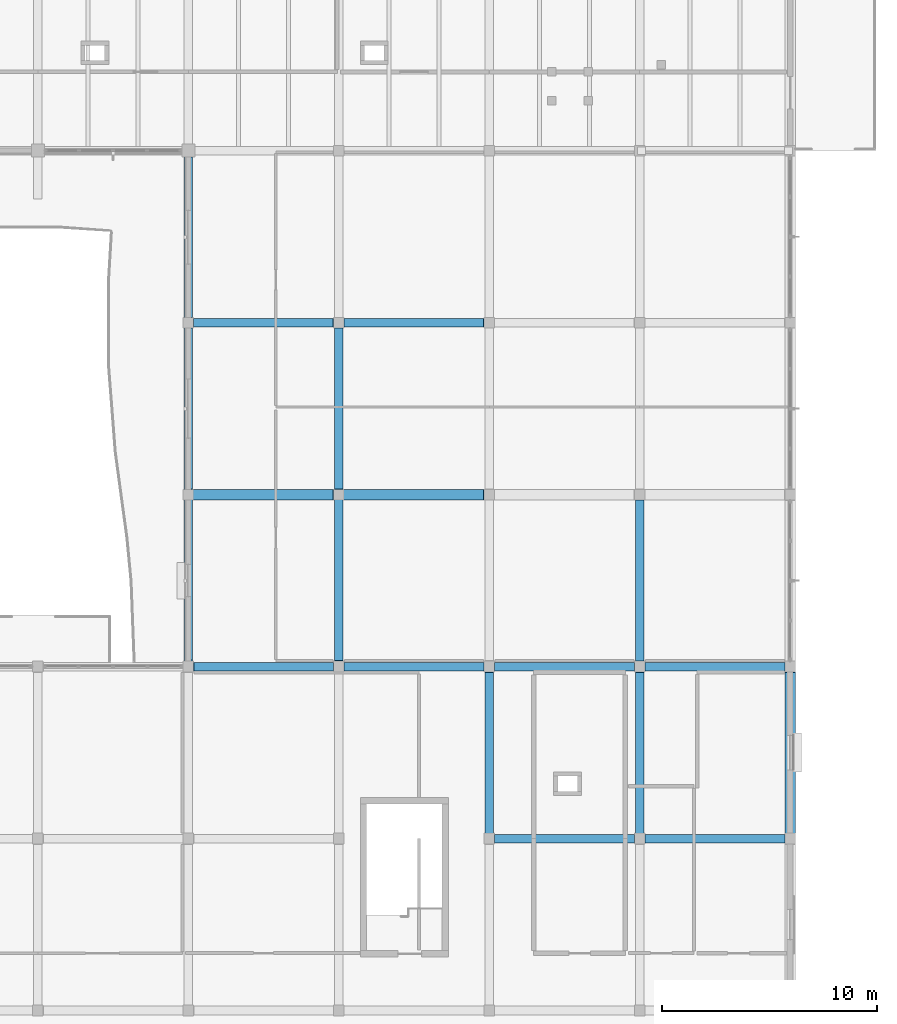
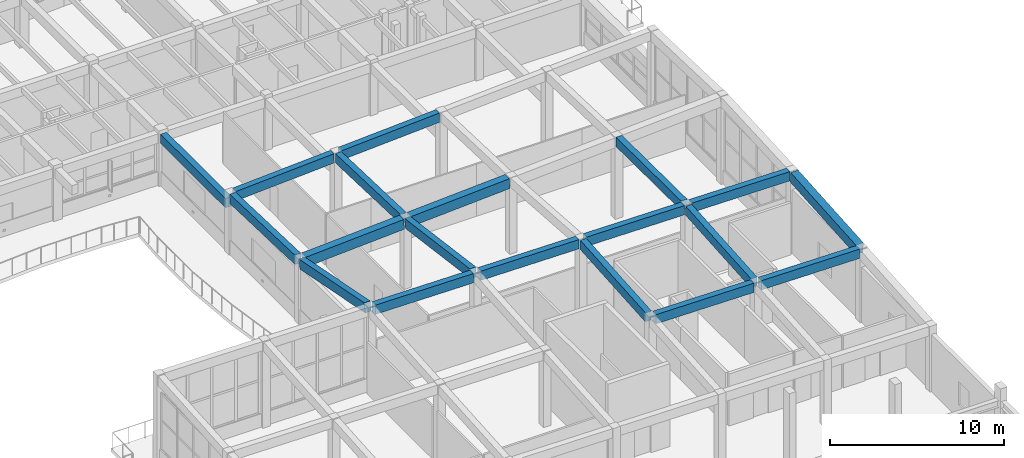
# One storey, part 35 of 89: 19 beams.
"""IFC4 building model written with IfcOpenShell, lengths in metres."""

from ifc_helpers import new_model, si_unit, direction, frame, origin, origin_2d, place, context, subcontext, project, spatial, rectangle, extrude, material, material_profile, profile_set, type_object, element, save


model = new_model("IFC4")

# Units and contexts
model_context = context("Model", 3, precision=1e-05, world=origin(), true_north=direction((0.0, 1.0)))
body_context = subcontext(model_context, "Body", "Model", "MODEL_VIEW")
ifc_project = project(units=[si_unit("LENGTHUNIT", "METRE"), si_unit("AREAUNIT", "SQUARE_METRE"), si_unit("VOLUMEUNIT", "CUBIC_METRE"), si_unit("PLANEANGLEUNIT", "RADIAN"), si_unit("MASSUNIT", "GRAM", prefix="KILO")], contexts=[model_context])

# Site, building, storey
site_placement = place(None, origin())
site = spatial("IfcSite", under=ifc_project, at=site_placement, CompositionType="ELEMENT")
building_placement = place(site_placement, origin())
building = spatial("IfcBuilding", under=site, at=building_placement, Name="Tonlespit Floodbar School", CompositionType="ELEMENT")
storey_placement = place(building_placement, frame((0.0, 0.0, 4.5)))
storey = spatial("IfcBuildingStorey", under=building, at=storey_placement, Name="L01", CompositionType="ELEMENT", Elevation=4.5)

# Beams
ifc_material = material(Name="Concrete C40/50", Category="concrete")
ifc_material_profile_1 = material_profile(ifc_material, rectangle(XDim=0.39990234375, YDim=0.64990234375, at=origin_2d()), Name="RC 400x650")
ifc_profile_set_1 = profile_set([ifc_material_profile_1], Name="Concrete C40/50")
beam_type_1 = type_object("IfcBeamType", Name="Beam_RC_400x650", PredefinedType="BEAM", material=ifc_profile_set_1)
for number, where, z_axis, x_axis, name in (
    (1, (162.25, 72.0, 4.949951171875), (0.999955563291, 0.0, -0.009427165204), (0.0, 1.0, 0.0), "L01 girder 0592"),
    (2, (169.25, 72.0, 4.884033203125), (0.999955563291, 0.0, -0.009427165204), (0.0, 1.0, 0.0), "L01 girder 0593"),
    (3, (148.25, 80.0, 5.6669921875), (0.999955563291, 0.0, -0.009427165204), (0.0, 1.0, 0.0), "L01 girder 0600"),
    (4, (155.25, 80.0, 5.60107421875), (0.999955563291, 0.0, -0.009427165204), (0.0, 1.0, 0.0), "L01 girder 0601"),
    (5, (162.25, 80.0, 5.53515625), (0.999955916639, 0.0, -0.009389610095), (0.0, 1.0, 0.0), "L01 girder 0602"),
    (6, (169.25, 80.0, 5.46923828125), (0.999955916639, 0.0, -0.009389610095), (0.0, 1.0, 0.0), "L01 girder 0603"),
):
    element("IfcBeam", number, at=place(storey_placement, frame(where, z_axis=z_axis, x_axis=x_axis)), inside=storey, type_object=beam_type_1, Name=name, PredefinedType="BEAM", context=body_context, shape_type="SweptSolid", body=[
        extrude(rectangle(XDim=0.39990234375, YDim=0.64990234375, at=origin_2d()), origin(), (0.0, 0.0, 1.0), 6.500244140625),
    ])
for number, where, z_axis, x_axis, name in (
    (7, (148.25, 96.0, 3.93701171875), (0.99832914353, 0.0, 0.05778339882), (0.0, 1.0, 0.0), "L01 girder 0625"),
    (8, (155.25, 96.0, 4.34228515625), (0.99832914353, 0.0, 0.05778339882), (0.0, 1.0, 0.0), "L01 girder 0626"),
):
    element("IfcBeam", number, at=place(storey_placement, frame(where, z_axis=z_axis, x_axis=x_axis)), inside=storey, type_object=beam_type_1, Name=name, PredefinedType="BEAM", context=body_context, shape_type="SweptSolid", body=[
        extrude(rectangle(XDim=0.39990234375, YDim=0.64990234375, at=origin_2d()), origin(), (0.0, 0.0, 1.0), 6.510986328125),
    ])
beam_1_placement = place(storey_placement, frame((148.0, 80.25, 5.6875), z_axis=(0.0, 0.981111370335, -0.193443736006), x_axis=(-1.0, 0.0, 0.0)))
element("IfcBeam", 9, at=beam_1_placement, inside=storey, type_object=beam_type_1, Name="L01 girder 0756", PredefinedType="BEAM", context=body_context, shape_type="SweptSolid", body=[
    extrude(rectangle(XDim=0.39990234375, YDim=0.64990234375, at=origin_2d()), origin(), (0.0, 0.0, 1.0), 7.644287109375),
])
beam_2_placement = place(storey_placement, frame((148.0, 88.25, 4.19140625), z_axis=(0.0, 0.999398480102, -0.03467964778), x_axis=(-1.0, 0.0, 0.0)))
element("IfcBeam", 10, at=beam_2_placement, inside=storey, type_object=beam_type_1, Name="L01 girder 0757", PredefinedType="BEAM", context=body_context, shape_type="SweptSolid", body=[
    extrude(rectangle(XDim=0.39990234375, YDim=0.64990234375, at=origin_2d()), origin(), (0.0, 0.0, 1.0), 7.50439453125),
])
beam_3_placement = place(storey_placement, frame((148.0, 96.25, 3.324951171875), z_axis=(0.0, 1.0, 0.0), x_axis=(-1.0, 0.0, 0.0)))
element("IfcBeam", 11, at=beam_3_placement, inside=storey, type_object=beam_type_1, Name="L01 girder 0758", PredefinedType="BEAM", context=body_context, shape_type="SweptSolid", body=[
    extrude(rectangle(XDim=0.39990234375, YDim=0.64990234375, at=origin_2d()), origin(), (0.0, 0.0, 1.0), 7.449951171875),
])
beam_4_placement = place(storey_placement, frame((155.0, 80.25, 5.62158203125), z_axis=(0.0, 0.991096392225, -0.133146315453), x_axis=(-1.0, 0.0, 0.0)))
element("IfcBeam", 12, at=beam_4_placement, inside=storey, type_object=beam_type_1, Name="L01 girder 0763", PredefinedType="BEAM", context=body_context, shape_type="SweptSolid", body=[
    extrude(rectangle(XDim=0.39990234375, YDim=0.64990234375, at=origin_2d()), origin(), (0.0, 0.0, 1.0), 7.5673828125),
])
beam_5_placement = place(storey_placement, frame((155.0, 88.25, 4.5966796875), z_axis=(0.0, 0.999398480102, -0.03467964778), x_axis=(-1.0, 0.0, 0.0)))
element("IfcBeam", 13, at=beam_5_placement, inside=storey, type_object=beam_type_1, Name="L01 girder 0764", PredefinedType="BEAM", context=body_context, shape_type="SweptSolid", body=[
    extrude(rectangle(XDim=0.39990234375, YDim=0.64990234375, at=origin_2d()), origin(), (0.0, 0.0, 1.0), 7.50439453125),
])
for number, where, z_axis, x_axis, name in (
    (14, (162.0, 72.25, 4.970458984375), (0.0, 0.997333262526, 0.072981939263), (-1.0, 0.0, 0.0), "L01 girder 0769"),
    (15, (169.0, 72.25, 4.904541015625), (0.0, 0.997333262526, 0.072981939263), (-1.0, 0.0, 0.0), "L01 girder 0776"),
):
    element("IfcBeam", number, at=place(storey_placement, frame(where, z_axis=z_axis, x_axis=x_axis)), inside=storey, type_object=beam_type_1, Name=name, PredefinedType="BEAM", context=body_context, shape_type="SweptSolid", body=[
        extrude(rectangle(XDim=0.39990234375, YDim=0.64990234375, at=origin_2d()), origin(), (0.0, 0.0, 1.0), 7.52001953125),
    ])
beam_6_placement = place(storey_placement, frame((169.0, 80.25, 5.489990234375), z_axis=(0.0, 0.999961948447, -0.008723626373), x_axis=(-1.0, 0.0, 0.0)))
element("IfcBeam", 16, at=beam_6_placement, inside=storey, type_object=beam_type_1, Name="L01 girder 0777", PredefinedType="BEAM", context=body_context, shape_type="SweptSolid", body=[
    extrude(rectangle(XDim=0.39990234375, YDim=0.64990234375, at=origin_2d()), origin(), (0.0, 0.0, 1.0), 7.500244140625),
])
ifc_material_profile_2 = material_profile(ifc_material, rectangle(XDim=0.5, YDim=0.699951171875, at=origin_2d()), Name="RC 500x700")
ifc_profile_set_2 = profile_set([ifc_material_profile_2], Name="Concrete C40/50")
beam_type_2 = type_object("IfcBeamType", Name="Spandrel_RC_500x700", PredefinedType="SPANDREL", material=ifc_profile_set_2)
for number, where, z_axis, x_axis, name in (
    (17, (148.25, 88.0, 4.189697265625), (0.99832914353, 0.0, 0.05778339882), (0.0, 1.0, 0.0), "L01 girder 0608"),
    (18, (155.25, 88.0, 4.5947265625), (0.998326979732, 0.0, 0.057820770836), (0.0, 1.0, 0.0), "L01 girder 0609"),
):
    element("IfcBeam", number, at=place(storey_placement, frame(where, z_axis=z_axis, x_axis=x_axis)), inside=storey, type_object=beam_type_2, Name=name, PredefinedType="SPANDREL", context=body_context, shape_type="SweptSolid", body=[
        extrude(rectangle(XDim=0.5, YDim=0.699951171875, at=origin_2d()), origin(), (0.0, 0.0, 1.0), 6.510986328125),
    ])
beam_7_placement = place(storey_placement, frame((176.0, 72.25, 4.813720703125), z_axis=(0.0, 0.997333262526, 0.072981939263), x_axis=(-1.0, 0.0, 0.0)))
element("IfcBeam", 19, at=beam_7_placement, inside=storey, type_object=beam_type_2, Name="L01 girder 0783", PredefinedType="SPANDREL", context=body_context, shape_type="SweptSolid", body=[
    extrude(rectangle(XDim=0.5, YDim=0.699951171875, at=origin_2d()), origin(), (0.0, 0.0, 1.0), 7.52001953125),
])

save(model, "model.ifc")
